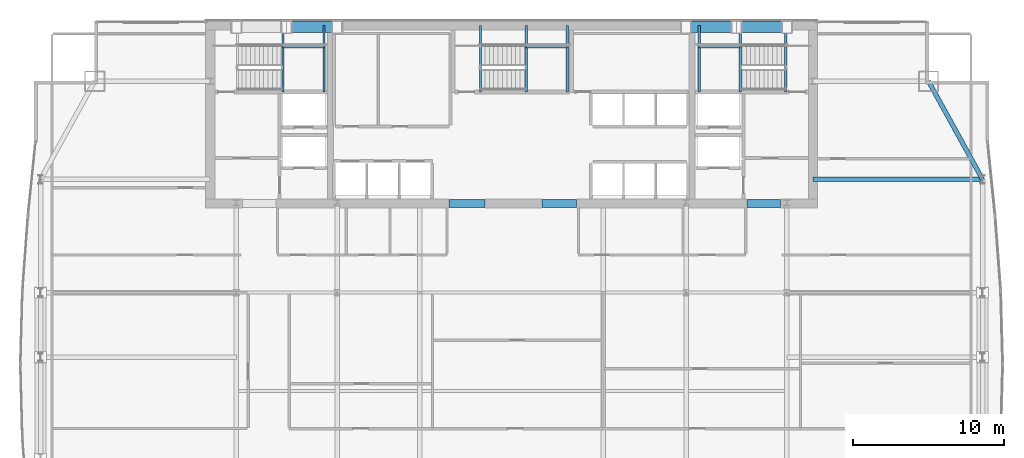
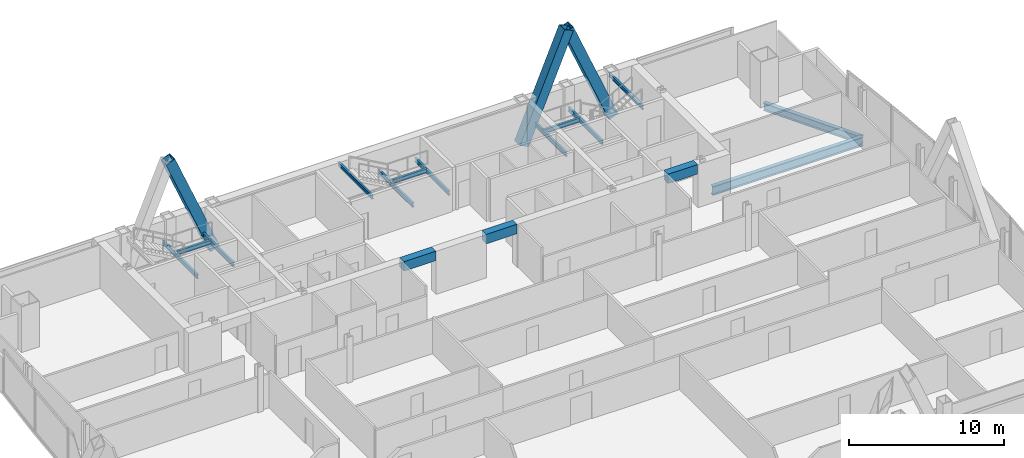
# One storey, part 19 of 29: 16 beams, 3 members.
"""IFC4 building model written with IfcOpenShell, lengths in metres."""

import ifcopenshell
import ifcopenshell.guid

model = None  # the IFC model being written
_history = None  # IfcOwnerHistory: only IFC2X3 demands one
_inside = {}  # id of a spatial element -> (the spatial element, [elements in it])
_under = {}  # id of a project, library or spatial element -> (it, [spatial elements below it])
_declared = {}  # id of a project -> (the project, [libraries it declares])
_typed = {}  # id of a type object -> (the type object, [elements of that type])
_made_of = {}  # id of a material, layer set ... -> (it, [elements and type objects made of it])


def new_model(schema):
    """Start an empty IFC model of exactly this schema.

    Asked for "IFC4X3", IfcOpenShell would pick the latest addendum, in which some entities
    have other attributes; the version numbers below select the first issue.
    IFC2X3 requires an IfcOwnerHistory on every rooted entity: one is made here for all.
    """
    global model, _history
    if schema == "IFC4X3":
        model = ifcopenshell.file(schema_version=(4, 3, 0, 0))
    else:
        model = ifcopenshell.file(schema=schema)
    _inside.clear()
    _under.clear()
    _declared.clear()
    _typed.clear()
    _made_of.clear()
    _history = None
    if model.schema == "IFC2X3":
        org = make("IfcOrganization", Name="unknown")
        user = make(
            "IfcPersonAndOrganization",
            ThePerson=make("IfcPerson", FamilyName="unknown"),
            TheOrganization=org,
        )
        app = make(
            "IfcApplication",
            ApplicationDeveloper=org,
            Version="unknown",
            ApplicationFullName="unknown",
            ApplicationIdentifier="unknown",
        )
        _history = make(
            "IfcOwnerHistory",
            OwningUser=user,
            OwningApplication=app,
            ChangeAction="ADDED",
            CreationDate=0,
        )
    return model


def make(cls, **values):
    """One entity of the class cls with the attributes given. An attribute that is None is left unset."""
    return model.create_entity(
        cls, **{name: value for name, value in values.items() if value is not None}
    )


def rooted(cls, **values):
    """An entity with a GlobalId (a new one), such as an element, a storey or a relation."""
    return make(cls, GlobalId=ifcopenshell.guid.new(), OwnerHistory=_history, **values)


def si_unit(unit_type, name, prefix=None):
    """IfcSIUnit, for example si_unit("LENGTHUNIT", "METRE", prefix="MILLI")."""
    return make("IfcSIUnit", UnitType=unit_type, Prefix=prefix, Name=name)


def assignment(units):
    """IfcUnitAssignment: the units of a project."""
    return None if units is None else make("IfcUnitAssignment", Units=units)


def point(xyz):
    """IfcCartesianPoint."""
    return None if xyz is None else make("IfcCartesianPoint", Coordinates=xyz)


def direction(xyz):
    """IfcDirection."""
    return None if xyz is None else make("IfcDirection", DirectionRatios=xyz)


def frame(location, z_axis=None, x_axis=None):
    """IfcAxis2Placement3D, a coordinate frame: its origin and axes. An axis left out is left unset."""
    return make(
        "IfcAxis2Placement3D",
        Location=point(location),
        Axis=direction(z_axis),
        RefDirection=direction(x_axis),
    )


def frame_2d(location, x_axis=None):
    """IfcAxis2Placement2D, a coordinate frame in the plane: its origin and x axis."""
    return make(
        "IfcAxis2Placement2D", Location=point(location), RefDirection=direction(x_axis)
    )


def origin():
    """The frame at (0, 0, 0) with its axes left unset."""
    return frame((0.0, 0.0, 0.0))


def origin_2d():
    """The frame at (0, 0) in the plane with its x axis left unset."""
    return frame_2d((0.0, 0.0))


def place(relative_to, where):
    """IfcLocalPlacement: puts the frame where relative to a parent placement (None: the world)."""
    return make(
        "IfcLocalPlacement", PlacementRelTo=relative_to, RelativePlacement=where
    )


def context(
    kind, dimensions, precision=None, world=None, true_north=None, identifier=None
):
    """IfcGeometricRepresentationContext, for example the 3D "Model" context."""
    return make(
        "IfcGeometricRepresentationContext",
        ContextIdentifier=identifier,
        ContextType=kind,
        CoordinateSpaceDimension=dimensions,
        Precision=precision,
        WorldCoordinateSystem=world,
        TrueNorth=true_north,
    )


def subcontext(parent, identifier, kind, view, scale=None):
    """IfcGeometricRepresentationSubContext, for example "Body" below "Model"."""
    return make(
        "IfcGeometricRepresentationSubContext",
        ContextIdentifier=identifier,
        ContextType=kind,
        ParentContext=parent,
        TargetScale=scale,
        TargetView=view,
    )


def project(units=None, contexts=None):
    """IfcProject with its units and contexts."""
    return rooted(
        "IfcProject",
        Name="project",
        RepresentationContexts=contexts,
        UnitsInContext=assignment(units),
    )


def spatial(cls, under=None, at=None, **own):
    """A site, building, storey or space (cls), placed at a placement, below another one or the project."""
    s = rooted(cls, ObjectPlacement=at, **own)
    if under is not None:
        _under.setdefault(under.id(), (under, []))[1].append(s)
    return s


def profile(cls, at=None, kind="AREA", **sizes):
    """A parametric profile (cls). Its sizes go by their IFC names, for example OverallWidth=200.0."""
    return make(cls, ProfileType=kind, Position=at, **sizes)


def rectangle(**sizes):
    """IfcRectangleProfileDef."""
    return profile("IfcRectangleProfileDef", **sizes)


def hollow_rectangle(**sizes):
    """IfcRectangleHollowProfileDef."""
    return profile("IfcRectangleHollowProfileDef", **sizes)


def i_section(**sizes):
    """IfcIShapeProfileDef."""
    return profile("IfcIShapeProfileDef", **sizes)


def extrude(swept, where, along, depth):
    """IfcExtrudedAreaSolid: the profile swept, set in the frame where, extruded along a direction by depth."""
    return make(
        "IfcExtrudedAreaSolid",
        SweptArea=swept,
        Position=where,
        ExtrudedDirection=direction(along),
        Depth=depth,
    )


def shape(context_of_items, identifier, shape_type, items):
    """IfcShapeRepresentation: the items that make up one representation, for example the "Body"."""
    return make(
        "IfcShapeRepresentation",
        ContextOfItems=context_of_items,
        RepresentationIdentifier=identifier,
        RepresentationType=shape_type,
        Items=items,
    )


def material(Name=None, Category=None):
    """IfcMaterial."""
    return make("IfcMaterial", Name=Name, Category=Category)


def material_profile(
    of_material, cross_section, Name=None, Category=None, Priority=None
):
    """IfcMaterialProfile: a cross section and its material."""
    return make(
        "IfcMaterialProfile",
        Name=Name,
        Material=of_material,
        Profile=cross_section,
        Priority=Priority,
        Category=Category,
    )


def profile_set(profiles, Name=None, composite=None):
    """IfcMaterialProfileSet."""
    return make(
        "IfcMaterialProfileSet",
        Name=Name,
        MaterialProfiles=profiles,
        CompositeProfile=composite,
    )


def made_of(thing, what):
    """Note that an element or type object is made of a material, layer set ...; save() writes the relation."""
    if what is not None:
        _made_of.setdefault(what.id(), (what, []))[1].append(thing)
    return thing


def type_object(cls, material=None, **own):
    """A type object (cls), such as IfcWallType, which elements share."""
    return made_of(rooted(cls, **own), material)


def element(
    cls,
    number,
    at=None,
    inside=None,
    cuts=None,
    type_object=None,
    material=None,
    context=None,
    identifier="Body",
    shape_type=None,
    held_by="IfcProductDefinitionShape",
    body=None,
    shapes=None,
    **own,
):
    """One element of the class cls, such as IfcWall. Its Tag is "e" and its number.

    at: its placement. inside: the storey or other place that contains it. cuts: it is an
    opening in that element (IfcRelVoidsElement). A single representation is given by context,
    identifier, shape_type and body (its items); several are given by shapes. held_by: the class
    of the entity that holds the representations. save() writes the other relations.
    """
    e = rooted(cls, Tag="e%d" % number, ObjectPlacement=at, **own)
    if body is not None:
        shapes = [shape(context, identifier, shape_type, body)]
    if shapes is not None:
        e.Representation = make(held_by, Representations=shapes)
    if inside is not None:
        _inside.setdefault(inside.id(), (inside, []))[1].append(e)
    if cuts is not None:
        rooted(
            "IfcRelVoidsElement", RelatingBuildingElement=cuts, RelatedOpeningElement=e
        )
    if type_object is not None:
        _typed.setdefault(type_object.id(), (type_object, []))[1].append(e)
    return made_of(e, material)


def aggregate(whole, parts):
    """IfcRelAggregates: a whole, such as a stair, and the parts it consists of."""
    return rooted("IfcRelAggregates", RelatingObject=whole, RelatedObjects=parts)


def save(model, path):
    """Write the relations noted so far, then the file.

    IfcRelAggregates (storeys below a building ...), IfcRelContainedInSpatialStructure (elements
    in a storey), IfcRelDefinesByType, IfcRelAssociatesMaterial and IfcRelDeclares: one each for
    every whole, place, type object, material and project.
    """
    for whole, parts in _under.values():
        aggregate(whole, parts)
    for where, things in _inside.values():
        rooted(
            "IfcRelContainedInSpatialStructure",
            RelatedElements=things,
            RelatingStructure=where,
        )
    for kind, things in _typed.values():
        rooted("IfcRelDefinesByType", RelatedObjects=things, RelatingType=kind)
    for what, things in _made_of.values():
        rooted("IfcRelAssociatesMaterial", RelatedObjects=things, RelatingMaterial=what)
    for by, libraries in _declared.values():
        rooted("IfcRelDeclares", RelatingContext=by, RelatedDefinitions=libraries)
    model.write(path)


model = new_model("IFC4")

# Units and contexts
model_context = context("Model", 3, precision=1e-05, world=origin(), true_north=direction((0.0, 1.0)))
body_context = subcontext(model_context, "Body", "Model", "MODEL_VIEW")
ifc_project = project(units=[si_unit("LENGTHUNIT", "METRE"), si_unit("AREAUNIT", "SQUARE_METRE"), si_unit("VOLUMEUNIT", "CUBIC_METRE"), si_unit("PLANEANGLEUNIT", "RADIAN"), si_unit("MASSUNIT", "GRAM", prefix="KILO")], contexts=[model_context])

# Site, building, storey
site_placement = place(None, origin())
site = spatial("IfcSite", under=ifc_project, at=site_placement, CompositionType="ELEMENT")
building_placement = place(site_placement, origin())
building = spatial("IfcBuilding", under=site, at=building_placement, Name="Khoronbel Lancet Exchange", CompositionType="ELEMENT")
storey_placement = place(building_placement, frame((0.0, 0.0, 180.60009765625)))
storey = spatial("IfcBuildingStorey", under=building, at=storey_placement, Name="L45", CompositionType="ELEMENT", Elevation=180.60009765625)

# Beams
ifc_material_1 = material(Name="Steel S355", Category="steel")
ifc_material_profile_1 = material_profile(ifc_material_1, i_section(OverallWidth=0.300048828125, OverallDepth=0.699951171875, WebThickness=0.01708984375, FlangeThickness=0.031982421875, at=origin_2d()), Name="HEB 700")
ifc_profile_set_1 = profile_set([ifc_material_profile_1], Name="Steel S355")
beam_type_1 = type_object("IfcBeamType", Name="BM-BG3", PredefinedType="BEAM", material=ifc_profile_set_1)
beam_1_placement = place(storey_placement, frame((56.39990234375, 43.199951171875, -0.510009765625), z_axis=(1.0, 0.0, 0.0), x_axis=(0.0, 1.0, 0.0)))
element("IfcBeam", 1, at=beam_1_placement, inside=storey, type_object=beam_type_1, Name="Level L45 east lens tie girder LG3E", PredefinedType="BEAM", context=body_context, shape_type="SweptSolid", body=[
    extrude(i_section(OverallWidth=0.300048828125, OverallDepth=0.699951171875, WebThickness=0.01708984375, FlangeThickness=0.031982421875, at=origin_2d()), origin(), (0.0, 0.0, 1.0), 11.22998046875),
])
ifc_material_profile_2 = material_profile(ifc_material_1, i_section(OverallWidth=0.159912109375, OverallDepth=0.330078125, WebThickness=0.007568359375, FlangeThickness=0.011474609375, at=origin_2d()), Name="IPE 330")
ifc_profile_set_2 = profile_set([ifc_material_profile_2], Name="Steel S355")
beam_type_2 = type_object("IfcBeamType", Name="BM-BJ7", PredefinedType="JOIST", material=ifc_profile_set_2)
for number, where, z_axis, x_axis, name in (
    (2, (21.320068359375, 48.97998046875, 1.434814453125), (0.0, 1.0, 0.0), (-1.0, 0.0, 0.0), "Level L45 stair ST1 landing bearer beam 1"),
    (3, (24.030029296875, 48.97998046875, 1.434814453125), (0.0, 1.0, 0.0), (-1.0, 0.0, 0.0), "Level L45 stair ST1 rear landing bearer beam 1"),
):
    element("IfcBeam", number, at=place(storey_placement, frame(where, z_axis=z_axis, x_axis=x_axis)), inside=storey, type_object=beam_type_2, Name=name, PredefinedType="JOIST", context=body_context, shape_type="SweptSolid", body=[
        extrude(i_section(OverallWidth=0.159912109375, OverallDepth=0.330078125, WebThickness=0.007568359375, FlangeThickness=0.011474609375, at=origin_2d()), origin(), (0.0, 0.0, 1.0), 4.419921875),
    ])
beam_2_placement = place(storey_placement, frame((21.320068359375, 51.97998046875, 1.434814453125), z_axis=(1.0, 0.0, 0.0), x_axis=(0.0, 1.0, 0.0)))
element("IfcBeam", 4, at=beam_2_placement, inside=storey, type_object=beam_type_2, Name="Level L45 stair ST1 landing cross trimmer beam 1", PredefinedType="JOIST", context=body_context, shape_type="SweptSolid", body=[
    extrude(i_section(OverallWidth=0.159912109375, OverallDepth=0.330078125, WebThickness=0.007568359375, FlangeThickness=0.011474609375, at=origin_2d()), origin(), (0.0, 0.0, 1.0), 2.7099609375),
])
for number, where, z_axis, x_axis, name in (
    (5, (51.580078125, 48.97998046875, 1.434814453125), (0.0, 1.0, 0.0), (-1.0, 0.0, 0.0), "Level L45 stair ST2 landing bearer beam 1"),
    (6, (48.8701171875, 48.97998046875, 1.434814453125), (0.0, 1.0, 0.0), (-1.0, 0.0, 0.0), "Level L45 stair ST2 rear landing bearer beam 1"),
):
    element("IfcBeam", number, at=place(storey_placement, frame(where, z_axis=z_axis, x_axis=x_axis)), inside=storey, type_object=beam_type_2, Name=name, PredefinedType="JOIST", context=body_context, shape_type="SweptSolid", body=[
        extrude(i_section(OverallWidth=0.159912109375, OverallDepth=0.330078125, WebThickness=0.007568359375, FlangeThickness=0.011474609375, at=origin_2d()), origin(), (0.0, 0.0, 1.0), 4.419921875),
    ])
beam_3_placement = place(storey_placement, frame((48.8701171875, 51.97998046875, 1.434814453125), z_axis=(1.0, 0.0, 0.0), x_axis=(0.0, 1.0, 0.0)))
element("IfcBeam", 7, at=beam_3_placement, inside=storey, type_object=beam_type_2, Name="Level L45 stair ST2 landing cross trimmer beam 1", PredefinedType="JOIST", context=body_context, shape_type="SweptSolid", body=[
    extrude(i_section(OverallWidth=0.159912109375, OverallDepth=0.330078125, WebThickness=0.007568359375, FlangeThickness=0.011474609375, at=origin_2d()), origin(), (0.0, 0.0, 1.0), 2.7099609375),
])
for number, where, z_axis, x_axis, name in (
    (8, (37.419921875, 48.97998046875, 1.434814453125), (0.0, 1.0, 0.0), (-1.0, 0.0, 0.0), "Level L45 stair ST3 landing bearer beam 1"),
    (9, (40.1298828125, 48.97998046875, 1.434814453125), (0.0, 1.0, 0.0), (-1.0, 0.0, 0.0), "Level L45 stair ST3 rear landing bearer beam 1"),
):
    element("IfcBeam", number, at=place(storey_placement, frame(where, z_axis=z_axis, x_axis=x_axis)), inside=storey, type_object=beam_type_2, Name=name, PredefinedType="JOIST", context=body_context, shape_type="SweptSolid", body=[
        extrude(i_section(OverallWidth=0.159912109375, OverallDepth=0.330078125, WebThickness=0.007568359375, FlangeThickness=0.011474609375, at=origin_2d()), origin(), (0.0, 0.0, 1.0), 4.419921875),
    ])
beam_4_placement = place(storey_placement, frame((37.419921875, 51.97998046875, 1.434814453125), z_axis=(1.0, 0.0, 0.0), x_axis=(0.0, 1.0, 0.0)))
element("IfcBeam", 10, at=beam_4_placement, inside=storey, type_object=beam_type_2, Name="Level L45 stair ST3 landing cross trimmer beam 1", PredefinedType="JOIST", context=body_context, shape_type="SweptSolid", body=[
    extrude(i_section(OverallWidth=0.159912109375, OverallDepth=0.330078125, WebThickness=0.007568359375, FlangeThickness=0.011474609375, at=origin_2d()), origin(), (0.0, 0.0, 1.0), 2.7099609375),
])
ifc_material_profile_3 = material_profile(ifc_material_1, i_section(OverallWidth=0.14990234375, OverallDepth=0.300048828125, WebThickness=0.007080078125, FlangeThickness=0.0107421875, at=origin_2d()), Name="IPE 300")
ifc_profile_set_3 = profile_set([ifc_material_profile_3], Name="Steel S355")
beam_type_3 = type_object("IfcBeamType", Name="BM-BJ8", PredefinedType="JOIST", material=ifc_profile_set_3)
for number, where, z_axis, x_axis, name in (
    (11, (54.60009765625, 48.97998046875, 3.119873046875), (0.0, 1.0, 0.0), (-1.0, 0.0, 0.0), "Level L45 stair ST2 upper-flight arrival trimmer beam"),
    (12, (34.39990234375, 48.97998046875, 3.119873046875), (0.0, 1.0, 0.0), (-1.0, 0.0, 0.0), "Level L45 stair ST3 upper-flight arrival trimmer beam"),
):
    element("IfcBeam", number, at=place(storey_placement, frame(where, z_axis=z_axis, x_axis=x_axis)), inside=storey, type_object=beam_type_3, Name=name, PredefinedType="JOIST", context=body_context, shape_type="SweptSolid", body=[
        extrude(i_section(OverallWidth=0.14990234375, OverallDepth=0.300048828125, WebThickness=0.007080078125, FlangeThickness=0.0107421875, at=origin_2d()), origin(), (0.0, 0.0, 1.0), 4.419921875),
    ])
ifc_material_2 = material(Name="Concrete C60/75", Category="concrete")
ifc_material_profile_4 = material_profile(ifc_material_2, rectangle(XDim=0.550048828125, YDim=0.75, at=origin_2d()), Name="RC 550x750")
ifc_profile_set_4 = profile_set([ifc_material_profile_4], Name="Concrete C60/75")
beam_type_4 = type_object("IfcBeamType", Name="BM-BL2", PredefinedType="LINTEL", material=ifc_profile_set_4)
beam_5_placement = place(storey_placement, frame((32.300048828125, 41.60009765625, 3.02490234375), z_axis=(1.0, 0.0, 0.0), x_axis=(0.0, 1.0, 0.0)))
element("IfcBeam", 13, at=beam_5_placement, inside=storey, type_object=beam_type_4, Name="Level L45 rear core coupling lintel L2", PredefinedType="LINTEL", context=body_context, shape_type="SweptSolid", body=[
    extrude(rectangle(XDim=0.550048828125, YDim=0.75, at=origin_2d()), origin(), (0.0, 0.0, 1.0), 2.39990234375),
])
beam_6_placement = place(storey_placement, frame((38.449951171875, 41.60009765625, 3.02490234375), z_axis=(1.0, 0.0, 0.0), x_axis=(0.0, 1.0, 0.0)))
element("IfcBeam", 14, at=beam_6_placement, inside=storey, type_object=beam_type_4, Name="Level L45 rear core coupling lintel L3", PredefinedType="LINTEL", context=body_context, shape_type="SweptSolid", body=[
    extrude(rectangle(XDim=0.550048828125, YDim=0.75, at=origin_2d()), origin(), (0.0, 0.0, 1.0), 2.300048828125),
])
beam_7_placement = place(storey_placement, frame((52.050048828125, 41.60009765625, 3.02490234375), z_axis=(1.0, 0.0, 0.0), x_axis=(0.0, 1.0, 0.0)))
element("IfcBeam", 15, at=beam_7_placement, inside=storey, type_object=beam_type_4, Name="Level L45 rear core coupling lintel L4", PredefinedType="LINTEL", context=body_context, shape_type="SweptSolid", body=[
    extrude(rectangle(XDim=0.550048828125, YDim=0.75, at=origin_2d()), origin(), (0.0, 0.0, 1.0), 2.199951171875),
])
ifc_material_profile_5 = material_profile(ifc_material_1, i_section(OverallWidth=0.300048828125, OverallDepth=0.60009765625, WebThickness=0.015380859375, FlangeThickness=0.030029296875, at=origin_2d()), Name="HEB 600")
ifc_profile_set_5 = profile_set([ifc_material_profile_5], Name="Steel S355")
beam_type_5 = type_object("IfcBeamType", Name="BM-BSP2", PredefinedType="SPANDREL", material=ifc_profile_set_5)
beam_8_placement = place(storey_placement, frame((67.6298828125, 43.199951171875, -0.460205078125), z_axis=(-0.482418808117, 0.875940690672, 0.0), x_axis=(-0.875940690672, -0.482418808117, 0.0)))
element("IfcBeam", 16, at=beam_8_placement, inside=storey, type_object=beam_type_5, Name="Level L45 perimeter spandrel beam SP15", PredefinedType="SPANDREL", context=body_context, shape_type="SweptSolid", body=[
    extrude(i_section(OverallWidth=0.300048828125, OverallDepth=0.60009765625, WebThickness=0.015380859375, FlangeThickness=0.030029296875, at=origin_2d()), origin(), (0.0, 0.0, 1.0), 7.420654296875),
])

# Members
ifc_material_3 = material(Name="Steel S460", Category="steel")
ifc_material_profile_6 = material_profile(ifc_material_3, hollow_rectangle(XDim=0.719970703125, YDim=0.719970703125, WallThickness=0.050048828125, at=origin_2d()), Name="BOX 720x720x50")
ifc_profile_set_6 = profile_set([ifc_material_profile_6], Name="Steel S460")
member_type = type_object("IfcMemberType", Name="MEM-MB2", PredefinedType="BRACE", material=ifc_profile_set_6)
for number, where, z_axis, x_axis, name in (
    (17, (24.89990234375, 53.280029296875, 0.0), (-0.385015324606, 0.0, 0.922910179713), (0.0, -1.0, 0.0), "Perimeter lancet brace tier 15 N-W-R"),
    (18, (48.0, 53.280029296875, 0.0), (0.385015324606, 0.0, 0.922910179713), (0.0, 1.0, 0.0), "Perimeter lancet brace tier 15 N-E-L"),
    (19, (54.675048828125, 53.280029296875, 0.0), (-0.385039314112, 0.0, 0.922900171518), (0.0, -1.0, 0.0), "Perimeter lancet brace tier 15 N-E-R"),
):
    element("IfcMember", number, at=place(storey_placement, frame(where, z_axis=z_axis, x_axis=x_axis)), inside=storey, type_object=member_type, Name=name, PredefinedType="BRACE", context=body_context, shape_type="SweptSolid", body=[
        extrude(hollow_rectangle(XDim=0.719970703125, YDim=0.719970703125, WallThickness=0.050048828125, at=origin_2d()), origin(), (0.0, 0.0, 1.0), 8.668212890625),
    ])

save(model, "model.ifc")
